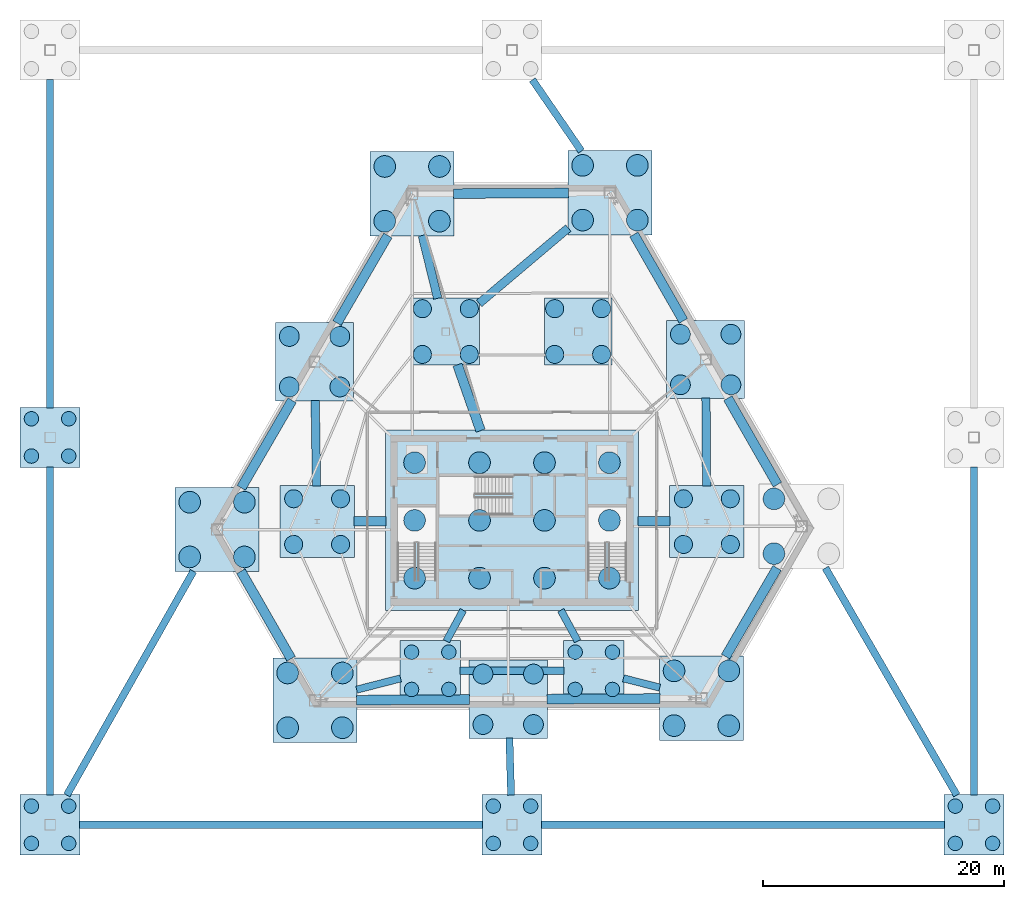
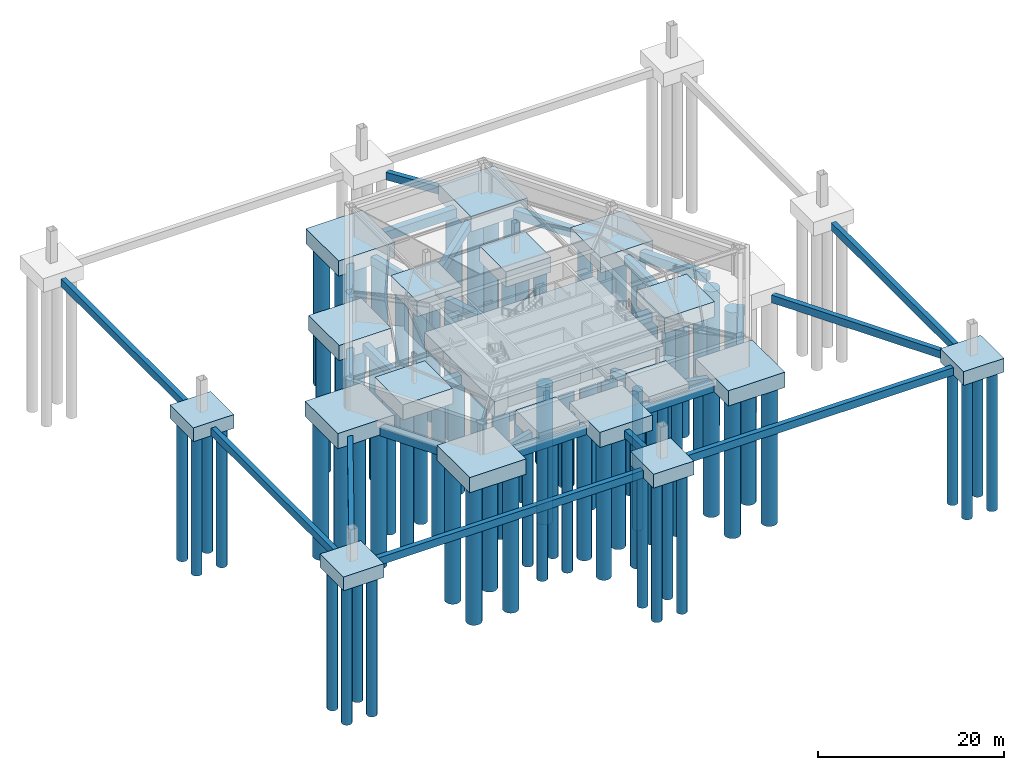
# One storey, part 1 of 11: 86 piles, 49 footings.
"""IFC4 building model written with IfcOpenShell, lengths in metres."""

from ifc_helpers import new_model, si_unit, direction, frame, origin, origin_2d, place, context, subcontext, project, spatial, rectangle, circle, extrude, material, material_profile, profile_set, type_object, element, save


model = new_model("IFC4")

# Units and contexts
model_context = context("Model", 3, precision=1e-05, world=origin(), true_north=direction((0.0, 1.0)))
body_context = subcontext(model_context, "Body", "Model", "MODEL_VIEW")
ifc_project = project(units=[si_unit("LENGTHUNIT", "METRE"), si_unit("AREAUNIT", "SQUARE_METRE"), si_unit("VOLUMEUNIT", "CUBIC_METRE"), si_unit("PLANEANGLEUNIT", "RADIAN"), si_unit("MASSUNIT", "GRAM", prefix="KILO")], contexts=[model_context])

# Site, building, storey
site_placement = place(None, origin())
site = spatial("IfcSite", under=ifc_project, at=site_placement, CompositionType="ELEMENT")
building_placement = place(site_placement, origin())
building = spatial("IfcBuilding", under=site, at=building_placement, Name="Kavelnor Concourse Tower", CompositionType="ELEMENT")
storey_placement = place(building_placement, frame((0.0, 0.0, -8.39990234375)))
storey = spatial("IfcBuildingStorey", under=building, at=storey_placement, Name="B02", CompositionType="ELEMENT", Elevation=-8.39990234375)

# Footings
ifc_material = material(Name="Concrete C50/60", Category="concrete")
footing_type_1 = type_object("IfcFootingType", Name="FTG-CAP-CORE-A", PredefinedType="PILE_CAP", material=ifc_material)
footing_1_placement = place(storey_placement, frame((38.0, 16.10009765625, -2.0), z_axis=(0.0, 0.0, 1.0), x_axis=(1.0, 0.0, 0.0)))
element("IfcFooting", 1, at=footing_1_placement, inside=storey, type_object=footing_type_1, Name="Central Core Combined Pile Cap PC1", PredefinedType="PILE_CAP", context=body_context, shape_type="SweptSolid", body=[
    extrude(rectangle(XDim=21.0, YDim=15.0, at=origin_2d()), origin(), (0.0, 0.0, 1.0), 2.0),
])
footing_type_2 = type_object("IfcFootingType", Name="FTG-CAP-CORE-B", PredefinedType="PILE_CAP", material=ifc_material)
for number, where, z_axis, x_axis, name in (
    (2, (21.800048828125, 16.0, -2.0), (0.0, 0.0, 1.0), (1.0, 0.0, 0.0), "Basement Column Pile Cap BC-W1"),
    (3, (54.199951171875, 16.0, -2.0), (0.0, 0.0, 1.0), (1.0, 0.0, 0.0), "Basement Column Pile Cap BC-E1"),
):
    element("IfcFooting", number, at=place(storey_placement, frame(where, z_axis=z_axis, x_axis=x_axis)), inside=storey, type_object=footing_type_2, Name=name, PredefinedType="PILE_CAP", context=body_context, shape_type="SweptSolid", body=[
        extrude(rectangle(XDim=6.199951171875, YDim=6.0, at=origin_2d()), origin(), (0.0, 0.0, 1.0), 2.0),
    ])
footing_type_3 = type_object("IfcFootingType", Name="FTG-CAP-CORE-C", PredefinedType="PILE_CAP", material=ifc_material)
for number, where, z_axis, x_axis, name in (
    (4, (32.5, 31.800048828125, -2.0), (0.0, 0.0, 1.0), (1.0, 0.0, 0.0), "Basement Column Pile Cap BC-NW"),
    (5, (43.5, 31.800048828125, -2.0), (0.0, 0.0, 1.0), (1.0, 0.0, 0.0), "Basement Column Pile Cap BC-NE"),
):
    element("IfcFooting", number, at=place(storey_placement, frame(where, z_axis=z_axis, x_axis=x_axis)), inside=storey, type_object=footing_type_3, Name=name, PredefinedType="PILE_CAP", context=body_context, shape_type="SweptSolid", body=[
        extrude(rectangle(XDim=5.60009765625, YDim=5.60009765625, at=origin_2d()), origin(), (0.0, 0.0, 1.0), 2.0),
    ])
footing_type_4 = type_object("IfcFootingType", Name="FTG-CAP-INT", PredefinedType="PILE_CAP", material=ifc_material)
for number, where, z_axis, x_axis, name in (
    (6, (31.199951171875, 3.60009765625, -1.80029296875), (0.0, 0.0, 1.0), (1.0, 0.0, 0.0), "Basement Column Pile Cap BC-SW"),
    (7, (44.800048828125, 3.60009765625, -1.80029296875), (0.0, 0.0, 1.0), (1.0, 0.0, 0.0), "Basement Column Pile Cap BC-SE"),
    (8, (-0.39990234375, -9.199951171875, -1.80029296875), (0.0, 0.0, 1.0), (1.0, 0.0, 0.0), "Plaza Perimeter Pile Cap PLZ-SW"),
    (9, (38.0, -9.199951171875, -1.80029296875), (0.0, 0.0, 1.0), (1.0, 0.0, 0.0), "Plaza Perimeter Pile Cap PLZ-S"),
    (10, (76.39990234375, -9.199951171875, -1.80029296875), (0.0, 0.0, 1.0), (1.0, 0.0, 0.0), "Plaza Perimeter Pile Cap PLZ-SE"),
    (11, (-0.39990234375, 23.0, -1.80029296875), (0.0, 0.0, 1.0), (1.0, 0.0, 0.0), "Plaza Perimeter Pile Cap PLZ-W"),
):
    element("IfcFooting", number, at=place(storey_placement, frame(where, z_axis=z_axis, x_axis=x_axis)), inside=storey, type_object=footing_type_4, Name=name, PredefinedType="PILE_CAP", context=body_context, shape_type="SweptSolid", body=[
        extrude(rectangle(XDim=5.0, YDim=5.0, at=origin_2d()), origin(), (0.0, 0.0, 1.0), 1.800048828125),
    ])
footing_type_5 = type_object("IfcFootingType", Name="FTG-CAP-MEGA-A", PredefinedType="PILE_CAP", material=ifc_material)
for number, where, z_axis, x_axis, name in (
    (12, (46.144775390625, 43.338623046875, -2.0), (0.0, 0.0, 1.0), (1.0, 0.0, 0.0), "Mega Column Pile Cap MC-V0"),
    (13, (29.694580078125, 43.248779296875, -2.0), (0.0, 0.0, 1.0), (1.0, 0.0, 0.0), "Mega Column Pile Cap MC-V1"),
    (14, (13.479736328125, 15.33935546875, -2.0), (0.0, 0.0, 1.0), (1.0, 0.0, 0.0), "Mega Column Pile Cap MC-V2"),
    (15, (21.62451171875, 1.142333984375, -2.0), (0.0, 0.0, 1.0), (1.0, 0.0, 0.0), "Mega Column Pile Cap MC-V3"),
    (16, (53.74560546875, 1.317626953125, -2.0), (0.0, 0.0, 1.0), (1.0, 0.0, 0.0), "Mega Column Pile Cap MC-V4"),
):
    element("IfcFooting", number, at=place(storey_placement, frame(where, z_axis=z_axis, x_axis=x_axis)), inside=storey, type_object=footing_type_5, Name=name, PredefinedType="PILE_CAP", context=body_context, shape_type="SweptSolid", body=[
        extrude(rectangle(XDim=7.0, YDim=7.0, at=origin_2d()), origin(), (0.0, 0.0, 1.0), 2.0),
    ])
footing_type_6 = type_object("IfcFootingType", Name="FTG-CAP-MEGA-B", PredefinedType="PILE_CAP", material=ifc_material)
for number, where, z_axis, x_axis, name in (
    (17, (21.587158203125, 29.294189453125, -2.0), (0.0, 0.0, 1.0), (1.0, 0.0, 0.0), "Mega Column Pile Cap MC-F0"),
    (18, (37.68505859375, 1.22998046875, -2.0), (0.0, 0.0, 1.0), (1.0, 0.0, 0.0), "Mega Column Pile Cap MC-F1"),
    (19, (54.097900390625, 29.475830078125, -2.0), (0.0, 0.0, 1.0), (1.0, 0.0, 0.0), "Mega Column Pile Cap MC-F2"),
):
    element("IfcFooting", number, at=place(storey_placement, frame(where, z_axis=z_axis, x_axis=x_axis)), inside=storey, type_object=footing_type_6, Name=name, PredefinedType="PILE_CAP", context=body_context, shape_type="SweptSolid", body=[
        extrude(rectangle(XDim=6.5, YDim=6.5, at=origin_2d()), origin(), (0.0, 0.0, 1.0), 2.0),
    ])
ifc_material_profile_1 = material_profile(ifc_material, rectangle(XDim=0.60009765625, YDim=1.0, at=origin_2d()), Name="RC-GB 600x1000")
ifc_profile_set_1 = profile_set([ifc_material_profile_1], Name="Concrete C50/60")
footing_type_7 = type_object("IfcFootingType", Name="FTG-GB-600x1000", PredefinedType="FOOTING_BEAM", material=ifc_profile_set_1)
for number, where, z_axis, x_axis, name in (
    (20, (2.06005859375, -9.199951171875, -1.300048828125), (1.0, 0.0, 0.0), (0.0, 1.0, 0.0), "Plaza Perimeter Ground Tie Beam 01"),
    (21, (40.4599609375, -9.199951171875, -1.300048828125), (1.0, 0.0, 0.0), (0.0, 1.0, 0.0), "Plaza Perimeter Ground Tie Beam 02"),
):
    element("IfcFooting", number, at=place(storey_placement, frame(where, z_axis=z_axis, x_axis=x_axis)), inside=storey, type_object=footing_type_7, Name=name, PredefinedType="FOOTING_BEAM", context=body_context, shape_type="SweptSolid", body=[
        extrude(rectangle(XDim=0.60009765625, YDim=1.0, at=origin_2d()), origin(), (0.0, 0.0, 1.0), 33.47998046875),
    ])
for number, where, z_axis, x_axis, name in (
    (22, (76.39990234375, -6.739990234375, -1.300048828125), (0.0, 1.0, 0.0), (-1.0, 0.0, 0.0), "Plaza Perimeter Ground Tie Beam 03"),
    (23, (-0.39990234375, 52.739990234375, -1.300048828125), (0.0, -1.0, 0.0), (1.0, 0.0, 0.0), "Plaza Perimeter Ground Tie Beam 07"),
    (24, (-0.39990234375, 20.5400390625, -1.300048828125), (0.0, -1.0, 0.0), (1.0, 0.0, 0.0), "Plaza Perimeter Ground Tie Beam 08"),
):
    element("IfcFooting", number, at=place(storey_placement, frame(where, z_axis=z_axis, x_axis=x_axis)), inside=storey, type_object=footing_type_7, Name=name, PredefinedType="FOOTING_BEAM", context=body_context, shape_type="SweptSolid", body=[
        extrude(rectangle(XDim=0.60009765625, YDim=1.0, at=origin_2d()), origin(), (0.0, 0.0, 1.0), 27.280029296875),
    ])
footing_2_placement = place(storey_placement, frame((25.085693359375, 2.03076171875, -1.300048828125), z_axis=(0.96861193005, 0.248577812697, 0.0), x_axis=(-0.248577812697, 0.96861193005, 0.0)))
element("IfcFooting", 25, at=footing_2_placement, inside=storey, type_object=footing_type_7, Name="Radial Ground Tie Beam 08", PredefinedType="FOOTING_BEAM", context=body_context, shape_type="SweptSolid", body=[
    extrude(rectangle(XDim=0.60009765625, YDim=1.0, at=origin_2d()), origin(), (0.0, 0.0, 1.0), 3.771484375),
])
footing_3_placement = place(storey_placement, frame((32.541015625, 6.06494140625, -1.300048828125), z_axis=(0.477887179583, 0.878421222188, 0.0), x_axis=(-0.878421222188, 0.477887179583, 0.0)))
element("IfcFooting", 26, at=footing_3_placement, inside=storey, type_object=footing_type_7, Name="Radial Ground Tie Beam 09", PredefinedType="FOOTING_BEAM", context=body_context, shape_type="SweptSolid", body=[
    extrude(rectangle(XDim=0.60009765625, YDim=1.0, at=origin_2d()), origin(), (0.0, 0.0, 1.0), 2.92578125),
])
footing_4_placement = place(storey_placement, frame((50.2841796875, 2.20068359375, -1.300048828125), z_axis=(-0.96896199453, 0.247209735157, 0.0), x_axis=(-0.247209735157, -0.96896199453, 0.0)))
element("IfcFooting", 27, at=footing_4_placement, inside=storey, type_object=footing_type_7, Name="Radial Ground Tie Beam 10", PredefinedType="FOOTING_BEAM", context=body_context, shape_type="SweptSolid", body=[
    extrude(rectangle(XDim=0.60009765625, YDim=1.0, at=origin_2d()), origin(), (0.0, 0.0, 1.0), 3.119873046875),
])
footing_5_placement = place(storey_placement, frame((43.458984375, 6.06494140625, -1.300048828125), z_axis=(-0.477887179583, 0.878421222188, 0.0), x_axis=(-0.878421222188, -0.477887179583, 0.0)))
element("IfcFooting", 28, at=footing_5_placement, inside=storey, type_object=footing_type_7, Name="Radial Ground Tie Beam 11", PredefinedType="FOOTING_BEAM", context=body_context, shape_type="SweptSolid", body=[
    extrude(rectangle(XDim=0.60009765625, YDim=1.0, at=origin_2d()), origin(), (0.0, 0.0, 1.0), 2.92578125),
])
footing_6_placement = place(storey_placement, frame((33.659912109375, 3.60009765625, -1.300048828125), z_axis=(1.0, 0.0, 0.0), x_axis=(0.0, 1.0, 0.0)))
element("IfcFooting", 29, at=footing_6_placement, inside=storey, type_object=footing_type_7, Name="Radial Ground Tie Beam 12", PredefinedType="FOOTING_BEAM", context=body_context, shape_type="SweptSolid", body=[
    extrude(rectangle(XDim=0.60009765625, YDim=1.0, at=origin_2d()), origin(), (0.0, 0.0, 1.0), 8.68017578125),
])
footing_7_placement = place(storey_placement, frame((0.994384765625, -6.73486328125, -1.300048828125), z_axis=(0.492316872664, 0.870416048158, 0.0), x_axis=(-0.870416048158, 0.492316872664, 0.0)))
element("IfcFooting", 30, at=footing_7_placement, inside=storey, type_object=footing_type_7, Name="Radial Ground Tie Beam 13", PredefinedType="FOOTING_BEAM", context=body_context, shape_type="SweptSolid", body=[
    extrude(rectangle(XDim=0.60009765625, YDim=1.0, at=origin_2d()), origin(), (0.0, 0.0, 1.0), 21.37939453125),
])
footing_8_placement = place(storey_placement, frame((37.92578125, -6.739990234375, -1.300048828125), z_axis=(-0.030196000109, 0.999543996819, 0.0), x_axis=(-0.999543996819, -0.030196000109, 0.0)))
element("IfcFooting", 31, at=footing_8_placement, inside=storey, type_object=footing_type_7, Name="Radial Ground Tie Beam 14", PredefinedType="FOOTING_BEAM", context=body_context, shape_type="SweptSolid", body=[
    extrude(rectangle(XDim=0.60009765625, YDim=1.0, at=origin_2d()), origin(), (0.0, 0.0, 1.0), 4.76220703125),
])
footing_9_placement = place(storey_placement, frame((74.974365234375, -6.734619140625, -1.300048828125), z_axis=(-0.500609118336, 0.865673443418, 0.0), x_axis=(-0.865673443418, -0.500609118336, 0.0)))
element("IfcFooting", 32, at=footing_9_placement, inside=storey, type_object=footing_type_7, Name="Radial Ground Tie Beam 15", PredefinedType="FOOTING_BEAM", context=body_context, shape_type="SweptSolid", body=[
    extrude(rectangle(XDim=0.60009765625, YDim=1.0, at=origin_2d()), origin(), (0.0, 0.0, 1.0), 21.812255859375),
])
footing_10_placement = place(storey_placement, frame((39.694091796875, 52.73291015625, -1.300048828125), z_axis=(0.56606471068, -0.824360808944, 0.0), x_axis=(0.824360808944, 0.56606471068, 0.0)))
element("IfcFooting", 33, at=footing_10_placement, inside=storey, type_object=footing_type_7, Name="Radial Ground Tie Beam 16", PredefinedType="FOOTING_BEAM", context=body_context, shape_type="SweptSolid", body=[
    extrude(rectangle(XDim=0.60009765625, YDim=1.0, at=origin_2d()), origin(), (0.0, 0.0, 1.0), 7.190185546875),
])
ifc_material_profile_2 = material_profile(ifc_material, rectangle(XDim=0.699951171875, YDim=1.10009765625, at=origin_2d()), Name="RC-GB 700x1100")
ifc_profile_set_2 = profile_set([ifc_material_profile_2], Name="Concrete C50/60")
footing_type_8 = type_object("IfcFootingType", Name="FTG-GB-700x1100", PredefinedType="FOOTING_BEAM", material=ifc_profile_set_2)
footing_11_placement = place(storey_placement, frame((42.67529296875, 40.40478515625, -1.35009765625), z_axis=(-0.763575305019, -0.645718788302, 0.0), x_axis=(0.645718788302, -0.763575305019, 0.0)))
element("IfcFooting", 34, at=footing_11_placement, inside=storey, type_object=footing_type_8, Name="Radial Ground Tie Beam 01", PredefinedType="FOOTING_BEAM", context=body_context, shape_type="SweptSolid", body=[
    extrude(rectangle(XDim=0.699951171875, YDim=1.10009765625, at=origin_2d()), origin(), (0.0, 0.0, 1.0), 9.69873046875),
])
footing_12_placement = place(storey_placement, frame((30.542724609375, 39.787841796875, -1.35009765625), z_axis=(0.237996254576, -0.971266072097, 0.0), x_axis=(0.971266072097, 0.237996254576, 0.0)))
element("IfcFooting", 35, at=footing_12_placement, inside=storey, type_object=footing_type_8, Name="Radial Ground Tie Beam 02", PredefinedType="FOOTING_BEAM", context=body_context, shape_type="SweptSolid", body=[
    extrude(rectangle(XDim=0.699951171875, YDim=1.10009765625, at=origin_2d()), origin(), (0.0, 0.0, 1.0), 5.38134765625),
])
footing_13_placement = place(storey_placement, frame((21.638671875, 26.083984375, -1.35009765625), z_axis=(0.01600206322, -0.999871958789, 0.0), x_axis=(0.999871958789, 0.01600206322, 0.0)))
element("IfcFooting", 36, at=footing_13_placement, inside=storey, type_object=footing_type_8, Name="Radial Ground Tie Beam 04", PredefinedType="FOOTING_BEAM", context=body_context, shape_type="SweptSolid", body=[
    extrude(rectangle(XDim=0.699951171875, YDim=1.10009765625, at=origin_2d()), origin(), (0.0, 0.0, 1.0), 7.125),
])
footing_14_placement = place(storey_placement, frame((54.1220703125, 26.265869140625, -1.35009765625), z_axis=(0.007585412508, -0.999971230345, 0.0), x_axis=(0.999971230345, 0.007585412508, 0.0)))
element("IfcFooting", 37, at=footing_14_placement, inside=storey, type_object=footing_type_8, Name="Radial Ground Tie Beam 06", PredefinedType="FOOTING_BEAM", context=body_context, shape_type="SweptSolid", body=[
    extrude(rectangle(XDim=0.699951171875, YDim=1.10009765625, at=origin_2d()), origin(), (0.0, 0.0, 1.0), 7.30615234375),
])
ifc_material_profile_3 = material_profile(ifc_material, rectangle(XDim=0.800048828125, YDim=1.199951171875, at=origin_2d()), Name="RC-GB 800x1200")
ifc_profile_set_3 = profile_set([ifc_material_profile_3], Name="Concrete C50/60")
footing_type_9 = type_object("IfcFootingType", Name="FTG-GB-800x1200", PredefinedType="FOOTING_BEAM", material=ifc_profile_set_3)
footing_15_placement = place(storey_placement, frame((42.684814453125, 43.319580078125, -1.400146484375), z_axis=(-0.999985253074, -0.005430804223, 0.0), x_axis=(0.005430804223, -0.999985253074, 0.0)))
element("IfcFooting", 38, at=footing_15_placement, inside=storey, type_object=footing_type_9, Name="Perimeter Ground Tie Beam GB1-01", PredefinedType="FOOTING_BEAM", context=body_context, shape_type="SweptSolid", body=[
    extrude(rectangle(XDim=0.800048828125, YDim=1.199951171875, at=origin_2d()), origin(), (0.0, 0.0, 1.0), 9.530517578125),
])
for number, where, z_axis, x_axis, name in (
    (39, (27.681396484375, 39.783447265625, -1.400146484375), (-0.502358140166, -0.864659643449, 0.0), (0.864659643449, -0.502358140166, 0.0), "Perimeter Ground Tie Beam GB1-02"),
    (40, (19.718994140625, 26.07861328125, -1.400146484375), (-0.502336442338, -0.864672249294, 0.0), (0.864672249294, -0.502336442338, 0.0), "Perimeter Ground Tie Beam GB1-03"),
):
    element("IfcFooting", number, at=place(storey_placement, frame(where, z_axis=z_axis, x_axis=x_axis)), inside=storey, type_object=footing_type_9, Name=name, PredefinedType="FOOTING_BEAM", context=body_context, shape_type="SweptSolid", body=[
        extrude(rectangle(XDim=0.800048828125, YDim=1.199951171875, at=origin_2d()), origin(), (0.0, 0.0, 1.0), 8.412353515625),
    ])
footing_16_placement = place(storey_placement, frame((15.4677734375, 11.8740234375, -1.400146484375), z_axis=(0.497622730651, -0.867393577299, 0.0), x_axis=(0.867393577299, 0.497622730651, 0.0)))
element("IfcFooting", 41, at=footing_16_placement, inside=storey, type_object=footing_type_9, Name="Perimeter Ground Tie Beam GB1-04", PredefinedType="FOOTING_BEAM", context=body_context, shape_type="SweptSolid", body=[
    extrude(rectangle(XDim=0.800048828125, YDim=1.199951171875, at=origin_2d()), origin(), (0.0, 0.0, 1.0), 8.377197265625),
])
footing_17_placement = place(storey_placement, frame((25.08447265625, 1.161376953125, -1.400146484375), z_axis=(0.999985238039, 0.005433572035, 0.0), x_axis=(-0.005433572035, 0.999985238039, 0.0)))
element("IfcFooting", 42, at=footing_17_placement, inside=storey, type_object=footing_type_9, Name="Perimeter Ground Tie Beam GB1-05", PredefinedType="FOOTING_BEAM", context=body_context, shape_type="SweptSolid", body=[
    extrude(rectangle(XDim=0.800048828125, YDim=1.199951171875, at=origin_2d()), origin(), (0.0, 0.0, 1.0), 9.390869140625),
])
footing_18_placement = place(storey_placement, frame((40.89501953125, 1.24755859375, -1.400146484375), z_axis=(0.999985237271, 0.005433713298, 0.0), x_axis=(-0.005433713298, 0.999985237271, 0.0)))
element("IfcFooting", 43, at=footing_18_placement, inside=storey, type_object=footing_type_9, Name="Perimeter Ground Tie Beam GB1-06", PredefinedType="FOOTING_BEAM", context=body_context, shape_type="SweptSolid", body=[
    extrude(rectangle(XDim=0.800048828125, YDim=1.199951171875, at=origin_2d()), origin(), (0.0, 0.0, 1.0), 9.390625),
])
footing_19_placement = place(storey_placement, frame((55.7587890625, 4.782958984375, -1.400146484375), z_axis=(0.502355395442, 0.864661238098, 0.0), x_axis=(-0.864661238098, 0.502355395442, 0.0)))
element("IfcFooting", 44, at=footing_19_placement, inside=storey, type_object=footing_type_9, Name="Perimeter Ground Tie Beam GB1-07", PredefinedType="FOOTING_BEAM", context=body_context, shape_type="SweptSolid", body=[
    extrude(rectangle(XDim=0.800048828125, YDim=1.199951171875, at=origin_2d()), origin(), (0.0, 0.0, 1.0), 8.517578125),
])
footing_20_placement = place(storey_placement, frame((60.062744140625, 19.07861328125, -1.400146484375), z_axis=(-0.497633818695, 0.867387216006, 0.0), x_axis=(-0.867387216006, -0.497633818695, 0.0)))
element("IfcFooting", 45, at=footing_20_placement, inside=storey, type_object=footing_type_9, Name="Perimeter Ground Tie Beam GB1-08", PredefinedType="FOOTING_BEAM", context=body_context, shape_type="SweptSolid", body=[
    extrude(rectangle(XDim=0.800048828125, YDim=1.199951171875, at=origin_2d()), origin(), (0.0, 0.0, 1.0), 8.27978515625),
])
footing_21_placement = place(storey_placement, frame((52.253173828125, 32.691162109375, -1.400146484375), z_axis=(-0.49762109163, 0.867394517602, 0.0), x_axis=(-0.867394517602, -0.49762109163, 0.0)))
element("IfcFooting", 46, at=footing_21_placement, inside=storey, type_object=footing_type_9, Name="Perimeter Ground Tie Beam GB1-09", PredefinedType="FOOTING_BEAM", context=body_context, shape_type="SweptSolid", body=[
    extrude(rectangle(XDim=0.800048828125, YDim=1.199951171875, at=origin_2d()), origin(), (0.0, 0.0, 1.0), 8.280029296875),
])
footing_22_placement = place(storey_placement, frame((33.4677734375, 29.037841796875, -1.400146484375), z_axis=(0.330582840425, -0.943776978749, 0.0), x_axis=(0.943776978749, 0.330582840425, 0.0)))
element("IfcFooting", 47, at=footing_22_placement, inside=storey, type_object=footing_type_9, Name="Radial Ground Tie Beam 03", PredefinedType="FOOTING_BEAM", context=body_context, shape_type="SweptSolid", body=[
    extrude(rectangle(XDim=0.800048828125, YDim=1.199951171875, at=origin_2d()), origin(), (0.0, 0.0, 1.0), 5.8017578125),
])
for number, where, z_axis, x_axis, name in (
    (48, (24.860107421875, 16.018798828125, -1.400146484375), (0.999980812959, 0.006194652025, 0.0), (-0.006194652025, 0.999980812959, 0.0), "Radial Ground Tie Beam 05"),
    (49, (51.139892578125, 16.018798828125, -1.400146484375), (-0.999980812959, 0.006194652025, 0.0), (-0.006194652025, -0.999980812959, 0.0), "Radial Ground Tie Beam 07"),
):
    element("IfcFooting", number, at=place(storey_placement, frame(where, z_axis=z_axis, x_axis=x_axis)), inside=storey, type_object=footing_type_9, Name=name, PredefinedType="FOOTING_BEAM", context=body_context, shape_type="SweptSolid", body=[
        extrude(rectangle(XDim=0.800048828125, YDim=1.199951171875, at=origin_2d()), origin(), (0.0, 0.0, 1.0), 2.679931640625),
    ])

# Piles
ifc_material_profile_4 = material_profile(ifc_material, circle(Radius=0.60009765625, at=origin_2d()), Name="PILE-D1200")
ifc_profile_set_4 = profile_set([ifc_material_profile_4], Name="Concrete C50/60")
pile_type_1 = type_object("IfcPileType", Name="PILE-BORED-1200", PredefinedType="BORED", material=ifc_profile_set_4)
for number, where, z_axis, x_axis, name in (
    (50, (29.64990234375, 2.050048828125, -1.7001953125), (0.0, 0.0, -1.0), (1.0, 0.0, 0.0), "Foundation Bored Pile BC-SW-1"),
    (51, (29.64990234375, 5.14990234375, -1.7001953125), (0.0, 0.0, -1.0), (1.0, 0.0, 0.0), "Foundation Bored Pile BC-SW-2"),
    (52, (32.75, 2.050048828125, -1.7001953125), (0.0, 0.0, -1.0), (1.0, 0.0, 0.0), "Foundation Bored Pile BC-SW-3"),
    (53, (32.75, 5.14990234375, -1.7001953125), (0.0, 0.0, -1.0), (1.0, 0.0, 0.0), "Foundation Bored Pile BC-SW-4"),
    (54, (43.25, 2.050048828125, -1.7001953125), (0.0, 0.0, -1.0), (1.0, 0.0, 0.0), "Foundation Bored Pile BC-SE-1"),
    (55, (43.25, 5.14990234375, -1.7001953125), (0.0, 0.0, -1.0), (1.0, 0.0, 0.0), "Foundation Bored Pile BC-SE-2"),
    (56, (46.35009765625, 2.050048828125, -1.7001953125), (0.0, 0.0, -1.0), (1.0, 0.0, 0.0), "Foundation Bored Pile BC-SE-3"),
    (57, (46.35009765625, 5.14990234375, -1.7001953125), (0.0, 0.0, -1.0), (1.0, 0.0, 0.0), "Foundation Bored Pile BC-SE-4"),
    (58, (-1.949951171875, -10.75, -1.7001953125), (0.0, 0.0, -1.0), (1.0, 0.0, 0.0), "Plaza Cap Bored Pile PLZ-SW-1"),
    (59, (-1.949951171875, -7.64990234375, -1.7001953125), (0.0, 0.0, -1.0), (1.0, 0.0, 0.0), "Plaza Cap Bored Pile PLZ-SW-2"),
    (60, (1.14990234375, -10.75, -1.7001953125), (0.0, 0.0, -1.0), (1.0, 0.0, 0.0), "Plaza Cap Bored Pile PLZ-SW-3"),
    (61, (1.14990234375, -7.64990234375, -1.7001953125), (0.0, 0.0, -1.0), (1.0, 0.0, 0.0), "Plaza Cap Bored Pile PLZ-SW-4"),
    (62, (36.449951171875, -10.75, -1.7001953125), (0.0, 0.0, -1.0), (1.0, 0.0, 0.0), "Plaza Cap Bored Pile PLZ-S-1"),
    (63, (36.449951171875, -7.64990234375, -1.7001953125), (0.0, 0.0, -1.0), (1.0, 0.0, 0.0), "Plaza Cap Bored Pile PLZ-S-2"),
    (64, (39.550048828125, -10.75, -1.7001953125), (0.0, 0.0, -1.0), (1.0, 0.0, 0.0), "Plaza Cap Bored Pile PLZ-S-3"),
    (65, (39.550048828125, -7.64990234375, -1.7001953125), (0.0, 0.0, -1.0), (1.0, 0.0, 0.0), "Plaza Cap Bored Pile PLZ-S-4"),
    (66, (74.85009765625, -10.75, -1.7001953125), (0.0, 0.0, -1.0), (1.0, 0.0, 0.0), "Plaza Cap Bored Pile PLZ-SE-1"),
    (67, (74.85009765625, -7.64990234375, -1.7001953125), (0.0, 0.0, -1.0), (1.0, 0.0, 0.0), "Plaza Cap Bored Pile PLZ-SE-2"),
    (68, (77.949951171875, -10.75, -1.7001953125), (0.0, 0.0, -1.0), (1.0, 0.0, 0.0), "Plaza Cap Bored Pile PLZ-SE-3"),
    (69, (77.949951171875, -7.64990234375, -1.7001953125), (0.0, 0.0, -1.0), (1.0, 0.0, 0.0), "Plaza Cap Bored Pile PLZ-SE-4"),
    (70, (-1.949951171875, 21.449951171875, -1.7001953125), (0.0, 0.0, -1.0), (1.0, 0.0, 0.0), "Plaza Cap Bored Pile PLZ-W-1"),
    (71, (-1.949951171875, 24.550048828125, -1.7001953125), (0.0, 0.0, -1.0), (1.0, 0.0, 0.0), "Plaza Cap Bored Pile PLZ-W-2"),
    (72, (1.14990234375, 21.449951171875, -1.7001953125), (0.0, 0.0, -1.0), (1.0, 0.0, 0.0), "Plaza Cap Bored Pile PLZ-W-3"),
    (73, (1.14990234375, 24.550048828125, -1.7001953125), (0.0, 0.0, -1.0), (1.0, 0.0, 0.0), "Plaza Cap Bored Pile PLZ-W-4"),
):
    element("IfcPile", number, at=place(storey_placement, frame(where, z_axis=z_axis, x_axis=x_axis)), inside=storey, type_object=pile_type_1, Name=name, PredefinedType="BORED", context=body_context, shape_type="SweptSolid", body=[
        extrude(circle(Radius=0.60009765625, at=origin_2d()), origin(), (0.0, 0.0, 1.0), 18.199951171875),
    ])
ifc_material_profile_5 = material_profile(ifc_material, circle(Radius=0.75, at=origin_2d()), Name="PILE-D1500")
ifc_profile_set_5 = profile_set([ifc_material_profile_5], Name="Concrete C50/60")
pile_type_2 = type_object("IfcPileType", Name="PILE-BORED-1500", PredefinedType="BORED", material=ifc_profile_set_5)
for number, where, z_axis, x_axis, name in (
    (74, (30.550048828125, 29.89990234375, -1.900146484375), (0.0, 0.0, -1.0), (1.0, 0.0, 0.0), "Foundation Bored Pile BC-NW-1"),
    (75, (30.550048828125, 33.699951171875, -1.900146484375), (0.0, 0.0, -1.0), (1.0, 0.0, 0.0), "Foundation Bored Pile BC-NW-2"),
    (76, (34.449951171875, 29.89990234375, -1.900146484375), (0.0, 0.0, -1.0), (1.0, 0.0, 0.0), "Foundation Bored Pile BC-NW-3"),
    (77, (34.449951171875, 33.699951171875, -1.900146484375), (0.0, 0.0, -1.0), (1.0, 0.0, 0.0), "Foundation Bored Pile BC-NW-4"),
    (78, (41.550048828125, 29.89990234375, -1.900146484375), (0.0, 0.0, -1.0), (1.0, 0.0, 0.0), "Foundation Bored Pile BC-NE-1"),
    (79, (41.550048828125, 33.699951171875, -1.900146484375), (0.0, 0.0, -1.0), (1.0, 0.0, 0.0), "Foundation Bored Pile BC-NE-2"),
    (80, (45.449951171875, 29.89990234375, -1.900146484375), (0.0, 0.0, -1.0), (1.0, 0.0, 0.0), "Foundation Bored Pile BC-NE-3"),
    (81, (45.449951171875, 33.699951171875, -1.900146484375), (0.0, 0.0, -1.0), (1.0, 0.0, 0.0), "Foundation Bored Pile BC-NE-4"),
    (82, (19.85009765625, 14.10009765625, -1.900146484375), (0.0, 0.0, -1.0), (1.0, 0.0, 0.0), "Foundation Bored Pile BC-W1-1"),
    (83, (19.85009765625, 17.89990234375, -1.900146484375), (0.0, 0.0, -1.0), (1.0, 0.0, 0.0), "Foundation Bored Pile BC-W1-2"),
    (84, (23.75, 14.10009765625, -1.900146484375), (0.0, 0.0, -1.0), (1.0, 0.0, 0.0), "Foundation Bored Pile BC-W1-3"),
    (85, (23.75, 17.89990234375, -1.900146484375), (0.0, 0.0, -1.0), (1.0, 0.0, 0.0), "Foundation Bored Pile BC-W1-4"),
    (86, (52.25, 14.10009765625, -1.900146484375), (0.0, 0.0, -1.0), (1.0, 0.0, 0.0), "Foundation Bored Pile BC-E1-1"),
    (87, (52.25, 17.89990234375, -1.900146484375), (0.0, 0.0, -1.0), (1.0, 0.0, 0.0), "Foundation Bored Pile BC-E1-2"),
    (88, (56.14990234375, 14.10009765625, -1.900146484375), (0.0, 0.0, -1.0), (1.0, 0.0, 0.0), "Foundation Bored Pile BC-E1-3"),
    (89, (56.14990234375, 17.89990234375, -1.900146484375), (0.0, 0.0, -1.0), (1.0, 0.0, 0.0), "Foundation Bored Pile BC-E1-4"),
):
    element("IfcPile", number, at=place(storey_placement, frame(where, z_axis=z_axis, x_axis=x_axis)), inside=storey, type_object=pile_type_2, Name=name, PredefinedType="BORED", context=body_context, shape_type="SweptSolid", body=[
        extrude(circle(Radius=0.75, at=origin_2d()), origin(), (0.0, 0.0, 1.0), 18.0),
    ])
ifc_material_profile_6 = material_profile(ifc_material, circle(Radius=0.824951171875, at=origin_2d()), Name="PILE-D1650")
ifc_profile_set_6 = profile_set([ifc_material_profile_6], Name="Concrete C50/60")
pile_type_3 = type_object("IfcPileType", Name="PILE-BORED-1650", PredefinedType="BORED", material=ifc_profile_set_6)
for number, where, z_axis, x_axis, name in (
    (90, (19.4873046875, 27.194091796875, -1.900146484375), (0.0, 0.0, -1.0), (1.0, 0.0, 0.0), "Mega Cap Bored Pile MC-F0-1"),
    (91, (19.4873046875, 31.39404296875, -1.900146484375), (0.0, 0.0, -1.0), (1.0, 0.0, 0.0), "Mega Cap Bored Pile MC-F0-2"),
    (92, (23.687255859375, 27.194091796875, -1.900146484375), (0.0, 0.0, -1.0), (1.0, 0.0, 0.0), "Mega Cap Bored Pile MC-F0-3"),
    (93, (23.687255859375, 31.39404296875, -1.900146484375), (0.0, 0.0, -1.0), (1.0, 0.0, 0.0), "Mega Cap Bored Pile MC-F0-4"),
    (94, (35.5849609375, -0.8701171875, -1.900146484375), (0.0, 0.0, -1.0), (1.0, 0.0, 0.0), "Mega Cap Bored Pile MC-F1-1"),
    (95, (35.5849609375, 3.330078125, -1.900146484375), (0.0, 0.0, -1.0), (1.0, 0.0, 0.0), "Mega Cap Bored Pile MC-F1-2"),
    (96, (39.784912109375, -0.8701171875, -1.900146484375), (0.0, 0.0, -1.0), (1.0, 0.0, 0.0), "Mega Cap Bored Pile MC-F1-3"),
    (97, (39.784912109375, 3.330078125, -1.900146484375), (0.0, 0.0, -1.0), (1.0, 0.0, 0.0), "Mega Cap Bored Pile MC-F1-4"),
    (98, (51.997802734375, 27.3759765625, -1.900146484375), (0.0, 0.0, -1.0), (1.0, 0.0, 0.0), "Mega Cap Bored Pile MC-F2-1"),
    (99, (51.997802734375, 31.575927734375, -1.900146484375), (0.0, 0.0, -1.0), (1.0, 0.0, 0.0), "Mega Cap Bored Pile MC-F2-2"),
    (100, (56.19775390625, 27.3759765625, -1.900146484375), (0.0, 0.0, -1.0), (1.0, 0.0, 0.0), "Mega Cap Bored Pile MC-F2-3"),
    (101, (56.19775390625, 31.575927734375, -1.900146484375), (0.0, 0.0, -1.0), (1.0, 0.0, 0.0), "Mega Cap Bored Pile MC-F2-4"),
):
    element("IfcPile", number, at=place(storey_placement, frame(where, z_axis=z_axis, x_axis=x_axis)), inside=storey, type_object=pile_type_3, Name=name, PredefinedType="BORED", context=body_context, shape_type="SweptSolid", body=[
        extrude(circle(Radius=0.824951171875, at=origin_2d()), origin(), (0.0, 0.0, 1.0), 18.0),
    ])
ifc_material_profile_7 = material_profile(ifc_material, circle(Radius=0.89990234375, at=origin_2d()), Name="PILE-D1800")
ifc_profile_set_7 = profile_set([ifc_material_profile_7], Name="Concrete C50/60")
pile_type_4 = type_object("IfcPileType", Name="PILE-BORED-1800", PredefinedType="BORED", material=ifc_profile_set_7)
for number, where, z_axis, x_axis, name in (
    (102, (29.89990234375, 11.300048828125, -1.900146484375), (0.0, 0.0, -1.0), (1.0, 0.0, 0.0), "Core Bored Pile BP1-01"),
    (103, (29.89990234375, 16.10009765625, -1.900146484375), (0.0, 0.0, -1.0), (1.0, 0.0, 0.0), "Core Bored Pile BP1-02"),
    (104, (29.89990234375, 20.89990234375, -1.900146484375), (0.0, 0.0, -1.0), (1.0, 0.0, 0.0), "Core Bored Pile BP1-03"),
    (105, (35.300048828125, 11.300048828125, -1.900146484375), (0.0, 0.0, -1.0), (1.0, 0.0, 0.0), "Core Bored Pile BP1-04"),
    (106, (35.300048828125, 16.10009765625, -1.900146484375), (0.0, 0.0, -1.0), (1.0, 0.0, 0.0), "Core Bored Pile BP1-05"),
    (107, (35.300048828125, 20.89990234375, -1.900146484375), (0.0, 0.0, -1.0), (1.0, 0.0, 0.0), "Core Bored Pile BP1-06"),
    (108, (40.699951171875, 11.300048828125, -1.900146484375), (0.0, 0.0, -1.0), (1.0, 0.0, 0.0), "Core Bored Pile BP1-07"),
    (109, (40.699951171875, 16.10009765625, -1.900146484375), (0.0, 0.0, -1.0), (1.0, 0.0, 0.0), "Core Bored Pile BP1-08"),
    (110, (40.699951171875, 20.89990234375, -1.900146484375), (0.0, 0.0, -1.0), (1.0, 0.0, 0.0), "Core Bored Pile BP1-09"),
    (111, (46.10009765625, 11.300048828125, -1.900146484375), (0.0, 0.0, -1.0), (1.0, 0.0, 0.0), "Core Bored Pile BP1-10"),
    (112, (46.10009765625, 16.10009765625, -1.900146484375), (0.0, 0.0, -1.0), (1.0, 0.0, 0.0), "Core Bored Pile BP1-11"),
    (113, (46.10009765625, 20.89990234375, -1.900146484375), (0.0, 0.0, -1.0), (1.0, 0.0, 0.0), "Core Bored Pile BP1-12"),
    (114, (43.869873046875, 41.063720703125, -1.900146484375), (0.0, 0.0, -1.0), (1.0, 0.0, 0.0), "Mega Cap Bored Pile MC-V0-1"),
    (115, (43.869873046875, 45.613525390625, -1.900146484375), (0.0, 0.0, -1.0), (1.0, 0.0, 0.0), "Mega Cap Bored Pile MC-V0-2"),
    (116, (48.419921875, 41.063720703125, -1.900146484375), (0.0, 0.0, -1.0), (1.0, 0.0, 0.0), "Mega Cap Bored Pile MC-V0-3"),
    (117, (48.419921875, 45.613525390625, -1.900146484375), (0.0, 0.0, -1.0), (1.0, 0.0, 0.0), "Mega Cap Bored Pile MC-V0-4"),
    (118, (27.419677734375, 40.973876953125, -1.900146484375), (0.0, 0.0, -1.0), (1.0, 0.0, 0.0), "Mega Cap Bored Pile MC-V1-1"),
    (119, (27.419677734375, 45.52392578125, -1.900146484375), (0.0, 0.0, -1.0), (1.0, 0.0, 0.0), "Mega Cap Bored Pile MC-V1-2"),
    (120, (31.969482421875, 40.973876953125, -1.900146484375), (0.0, 0.0, -1.0), (1.0, 0.0, 0.0), "Mega Cap Bored Pile MC-V1-3"),
    (121, (31.969482421875, 45.52392578125, -1.900146484375), (0.0, 0.0, -1.0), (1.0, 0.0, 0.0), "Mega Cap Bored Pile MC-V1-4"),
    (122, (11.204833984375, 13.064208984375, -1.900146484375), (0.0, 0.0, -1.0), (1.0, 0.0, 0.0), "Mega Cap Bored Pile MC-V2-1"),
    (123, (11.204833984375, 17.6142578125, -1.900146484375), (0.0, 0.0, -1.0), (1.0, 0.0, 0.0), "Mega Cap Bored Pile MC-V2-2"),
    (124, (15.7548828125, 13.064208984375, -1.900146484375), (0.0, 0.0, -1.0), (1.0, 0.0, 0.0), "Mega Cap Bored Pile MC-V2-3"),
    (125, (15.7548828125, 17.6142578125, -1.900146484375), (0.0, 0.0, -1.0), (1.0, 0.0, 0.0), "Mega Cap Bored Pile MC-V2-4"),
    (126, (19.349609375, -1.132568359375, -1.900146484375), (0.0, 0.0, -1.0), (1.0, 0.0, 0.0), "Mega Cap Bored Pile MC-V3-1"),
    (127, (19.349609375, 3.41748046875, -1.900146484375), (0.0, 0.0, -1.0), (1.0, 0.0, 0.0), "Mega Cap Bored Pile MC-V3-2"),
    (128, (23.8994140625, -1.132568359375, -1.900146484375), (0.0, 0.0, -1.0), (1.0, 0.0, 0.0), "Mega Cap Bored Pile MC-V3-3"),
    (129, (23.8994140625, 3.41748046875, -1.900146484375), (0.0, 0.0, -1.0), (1.0, 0.0, 0.0), "Mega Cap Bored Pile MC-V3-4"),
    (130, (51.470458984375, -0.95751953125, -1.900146484375), (0.0, 0.0, -1.0), (1.0, 0.0, 0.0), "Mega Cap Bored Pile MC-V4-1"),
    (131, (51.470458984375, 3.592529296875, -1.900146484375), (0.0, 0.0, -1.0), (1.0, 0.0, 0.0), "Mega Cap Bored Pile MC-V4-2"),
    (132, (56.0205078125, -0.95751953125, -1.900146484375), (0.0, 0.0, -1.0), (1.0, 0.0, 0.0), "Mega Cap Bored Pile MC-V4-3"),
    (133, (56.0205078125, 3.592529296875, -1.900146484375), (0.0, 0.0, -1.0), (1.0, 0.0, 0.0), "Mega Cap Bored Pile MC-V4-4"),
    (134, (59.77587890625, 13.338134765625, -1.900146484375), (0.0, 0.0, -1.0), (1.0, 0.0, 0.0), "Mega Cap Bored Pile MC-V5-1"),
    (135, (59.77587890625, 17.88818359375, -1.900146484375), (0.0, 0.0, -1.0), (1.0, 0.0, 0.0), "Mega Cap Bored Pile MC-V5-2"),
):
    element("IfcPile", number, at=place(storey_placement, frame(where, z_axis=z_axis, x_axis=x_axis)), inside=storey, type_object=pile_type_4, Name=name, PredefinedType="BORED", context=body_context, shape_type="SweptSolid", body=[
        extrude(circle(Radius=0.89990234375, at=origin_2d()), origin(), (0.0, 0.0, 1.0), 18.0),
    ])

save(model, "model.ifc")
